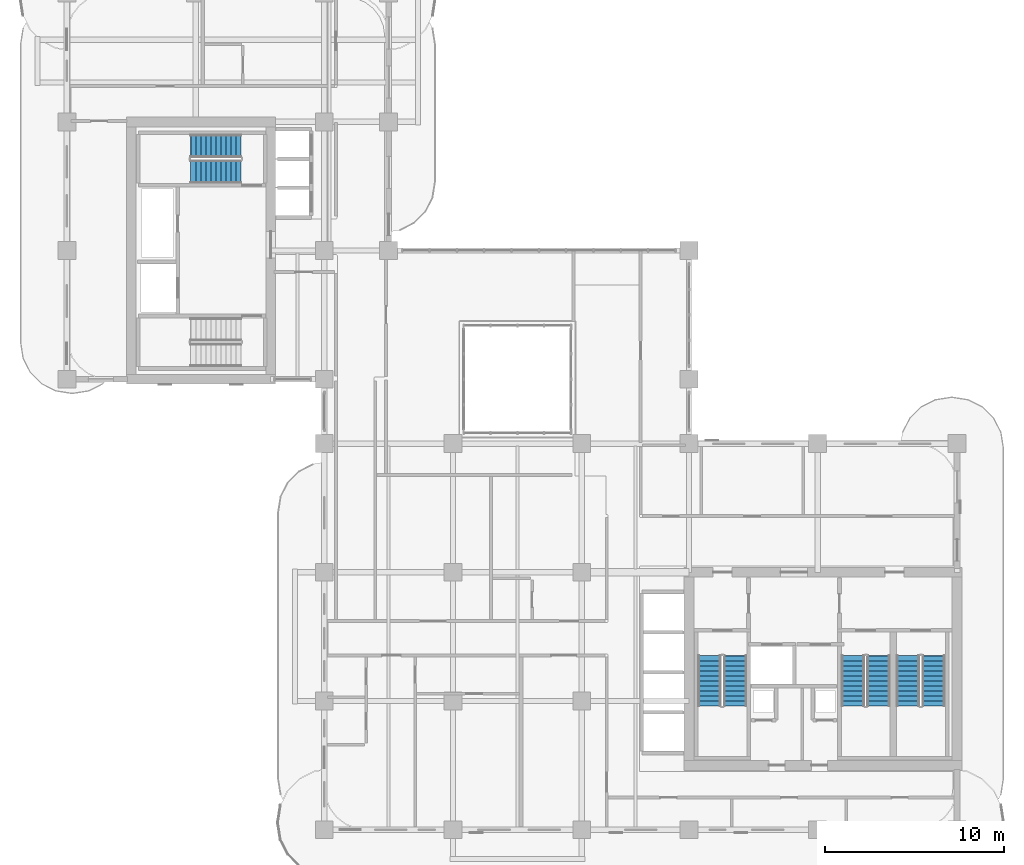
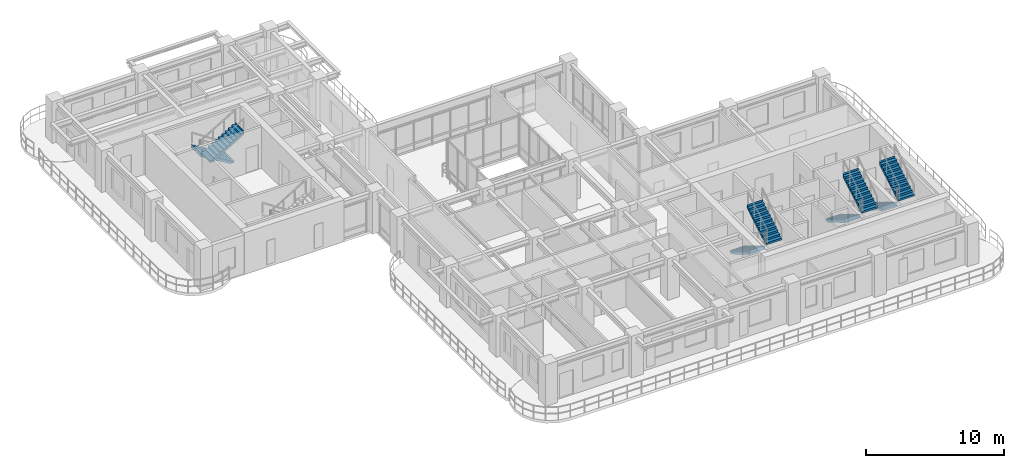
# One storey, part 16 of 20: 8 stair flights, 4 elements without a shape of their own.
"""IFC4 building model written with IfcOpenShell, lengths in metres."""

from ifc_helpers import new_model, si_unit, derived_unit, direction, frame, origin, place, context, subcontext, project, spatial, polyline, outline, extrude, source, transform, mapped, material, layer, layer_set, type_object, element, aggregate, save


model = new_model("IFC4")

# Units and contexts
model_context = context("Model", 3, precision=1e-05, world=origin(), true_north=direction((0.0, 1.0)))
body_context = subcontext(model_context, "Body", "Model", "MODEL_VIEW")
ifc_project = project(units=[si_unit("LENGTHUNIT", "METRE"), si_unit("AREAUNIT", "SQUARE_METRE"), si_unit("VOLUMEUNIT", "CUBIC_METRE"), si_unit("PLANEANGLEUNIT", "RADIAN"), si_unit("MASSUNIT", "GRAM", prefix="KILO"), si_unit("THERMODYNAMICTEMPERATUREUNIT", "KELVIN"), si_unit("POWERUNIT", "WATT"), derived_unit("THERMALTRANSMITTANCEUNIT", [(si_unit("POWERUNIT", "WATT"), 1), (si_unit("AREAUNIT", "SQUARE_METRE"), -1), (si_unit("THERMODYNAMICTEMPERATUREUNIT", "KELVIN"), -1)])], contexts=[model_context])

# Site, building, storey
site_placement = place(None, origin())
site = spatial("IfcSite", under=ifc_project, at=site_placement, CompositionType="ELEMENT")
building_placement = place(site_placement, origin())
building = spatial("IfcBuilding", under=site, at=building_placement, Name="Zahravan Archway Hotel and Residences", CompositionType="ELEMENT")
storey_placement = place(building_placement, frame((0.0, 0.0, 115.5)))
storey = spatial("IfcBuildingStorey", under=building, at=storey_placement, Name="L28", CompositionType="ELEMENT", Elevation=115.5)

# Stair, stair flights
ifc_material = material(Name="Concrete C50/60", Category="concrete")
stair_type = type_object("IfcStairType", Name="STR-CORE-1300", PredefinedType="HALF_TURN_STAIR", material=ifc_material)
stair_1_placement = place(storey_placement, origin())
stair_1 = element("IfcStair", 1, at=stair_1_placement, inside=storey, type_object=stair_type, Name="L28 Core A Exit Stair 1", PredefinedType="HALF_TURN_STAIR")
ifc_layer = layer(ifc_material, 0.199951171875, Name="Concrete C50/60", Category="concrete")
ifc_layer_set = layer_set([ifc_layer], Name="Concrete C50/60")
stair_flight_type = type_object("IfcStairFlightType", Name="SFL-CORE-1300", PredefinedType="STRAIGHT", material=ifc_layer_set)
shared_shape = source(origin(), body_context, "Body", "SweptSolid", [
    extrude(outline(polyline([(-0.01611328125, 0.0), (-0.01611328125, 0.168212890625), (0.280029296875, 0.168212890625), (0.280029296875, 0.33642578125), (0.56005859375, 0.33642578125), (0.56005859375, 0.504638671875), (0.840087890625, 0.504638671875), (0.840087890625, 0.672607421875), (1.1201171875, 0.672607421875), (1.1201171875, 0.8408203125), (1.39990234375, 0.8408203125), (1.39990234375, 1.009033203125), (1.679931640625, 1.009033203125), (1.679931640625, 1.17724609375), (1.9599609375, 1.17724609375), (1.9599609375, 1.345458984375), (2.239990234375, 1.345458984375), (2.239990234375, 1.513671875), (2.52001953125, 1.513671875), (2.52001953125, 1.681884765625), (2.800048828125, 1.681884765625), (2.800048828125, 1.85009765625), (2.816162109375, 1.85009765625), (2.816162109375, 1.5068359375), (0.291015625, 0.0), (-0.01611328125, 0.0)])), frame((0.0, 0.64990234375, 0.0), z_axis=(0.0, -1.0, 0.0), x_axis=(1.0, 0.0, 0.0)), (0.0, 0.0, 1.0), 1.300048828125),
])
stair_flight_1_placement = place(storey_placement, frame((35.949951171875, 9.72998046875, 0.0), z_axis=(0.0, 0.0, 1.0), x_axis=(0.0, -1.0, 0.0)))
stair_flight_1 = element("IfcStairFlight", 2, at=stair_flight_1_placement, type_object=stair_flight_type, Name="ST-A1 flight 1", NumberOfRisers=11, NumberOfTreads=10, PredefinedType="STRAIGHT", RiserHeight=0.168181818, TreadLength=0.28, context=body_context, shape_type="MappedRepresentation", body=[
    mapped(shared_shape, transform((0.0, 0.0, 0.0), scale=1.0)),
])
stair_flight_2_placement = place(storey_placement, frame((37.389892578125, 6.929931640625, 1.85009765625), z_axis=(0.0, 0.0, 1.0), x_axis=(0.0, 1.0, 0.0)))
stair_flight_2 = element("IfcStairFlight", 3, at=stair_flight_2_placement, type_object=stair_flight_type, Name="ST-A1 flight 2", NumberOfRisers=11, NumberOfTreads=10, PredefinedType="STRAIGHT", RiserHeight=0.168181818, TreadLength=0.28, context=body_context, shape_type="MappedRepresentation", body=[
    mapped(shared_shape, transform((0.0, 0.0, 0.0), scale=1.0)),
])
aggregate(stair_1, [stair_flight_1, stair_flight_2])

stair_2_placement = place(storey_placement, origin())
stair_2 = element("IfcStair", 4, at=stair_2_placement, inside=storey, type_object=stair_type, Name="L28 Core A Exit Stair 2", PredefinedType="HALF_TURN_STAIR")
stair_flight_3_placement = place(storey_placement, frame((43.969970703125, 9.72998046875, 0.0), z_axis=(0.0, 0.0, 1.0), x_axis=(0.0, -1.0, 0.0)))
stair_flight_3 = element("IfcStairFlight", 5, at=stair_flight_3_placement, type_object=stair_flight_type, Name="ST-A2 flight 1", NumberOfRisers=11, NumberOfTreads=10, PredefinedType="STRAIGHT", RiserHeight=0.168181818, TreadLength=0.28, context=body_context, shape_type="MappedRepresentation", body=[
    mapped(shared_shape, transform((0.0, 0.0, 0.0), scale=1.0)),
])
stair_flight_4_placement = place(storey_placement, frame((45.409912109375, 6.929931640625, 1.85009765625), z_axis=(0.0, 0.0, 1.0), x_axis=(0.0, 1.0, 0.0)))
stair_flight_4 = element("IfcStairFlight", 6, at=stair_flight_4_placement, type_object=stair_flight_type, Name="ST-A2 flight 2", NumberOfRisers=11, NumberOfTreads=10, PredefinedType="STRAIGHT", RiserHeight=0.168181818, TreadLength=0.28, context=body_context, shape_type="MappedRepresentation", body=[
    mapped(shared_shape, transform((0.0, 0.0, 0.0), scale=1.0)),
])
aggregate(stair_2, [stair_flight_3, stair_flight_4])

stair_3_placement = place(storey_placement, origin())
stair_3 = element("IfcStair", 7, at=stair_3_placement, inside=storey, type_object=stair_type, Name="L28 Core A Exit Stair 3", PredefinedType="HALF_TURN_STAIR")
stair_flight_5_placement = place(storey_placement, frame((47.050048828125, 9.72998046875, 0.0), z_axis=(0.0, 0.0, 1.0), x_axis=(0.0, -1.0, 0.0)))
stair_flight_5 = element("IfcStairFlight", 8, at=stair_flight_5_placement, type_object=stair_flight_type, Name="ST-A3 flight 1", NumberOfRisers=11, NumberOfTreads=10, PredefinedType="STRAIGHT", RiserHeight=0.168181818, TreadLength=0.28, context=body_context, shape_type="MappedRepresentation", body=[
    mapped(shared_shape, transform((0.0, 0.0, 0.0), scale=1.0)),
])
stair_flight_6_placement = place(storey_placement, frame((48.489990234375, 6.929931640625, 1.85009765625), z_axis=(0.0, 0.0, 1.0), x_axis=(0.0, 1.0, 0.0)))
stair_flight_6 = element("IfcStairFlight", 9, at=stair_flight_6_placement, type_object=stair_flight_type, Name="ST-A3 flight 2", NumberOfRisers=11, NumberOfTreads=10, PredefinedType="STRAIGHT", RiserHeight=0.168181818, TreadLength=0.28, context=body_context, shape_type="MappedRepresentation", body=[
    mapped(shared_shape, transform((0.0, 0.0, 0.0), scale=1.0)),
])
aggregate(stair_3, [stair_flight_5, stair_flight_6])

stair_4_placement = place(storey_placement, origin())
stair_4 = element("IfcStair", 10, at=stair_4_placement, inside=storey, type_object=stair_type, Name="L28 Core B Exit Stair 2", PredefinedType="HALF_TURN_STAIR")
stair_flight_7_placement = place(storey_placement, frame((9.72998046875, 38.25, 0.0), z_axis=(0.0, 0.0, 1.0), x_axis=(-1.0, 0.0, 0.0)))
stair_flight_7 = element("IfcStairFlight", 11, at=stair_flight_7_placement, type_object=stair_flight_type, Name="ST-B2 flight 1", NumberOfRisers=11, NumberOfTreads=10, PredefinedType="STRAIGHT", RiserHeight=0.168181818, TreadLength=0.28, context=body_context, shape_type="MappedRepresentation", body=[
    mapped(shared_shape, transform((0.0, 0.0, 0.0), scale=1.0)),
])
stair_flight_8_placement = place(storey_placement, frame((6.929931640625, 36.81005859375, 1.85009765625), z_axis=(0.0, 0.0, 1.0), x_axis=(1.0, 0.0, 0.0)))
stair_flight_8 = element("IfcStairFlight", 12, at=stair_flight_8_placement, type_object=stair_flight_type, Name="ST-B2 flight 2", NumberOfRisers=11, NumberOfTreads=10, PredefinedType="STRAIGHT", RiserHeight=0.168181818, TreadLength=0.28, context=body_context, shape_type="MappedRepresentation", body=[
    mapped(shared_shape, transform((0.0, 0.0, 0.0), scale=1.0)),
])
aggregate(stair_4, [stair_flight_7, stair_flight_8])

save(model, "model.ifc")
